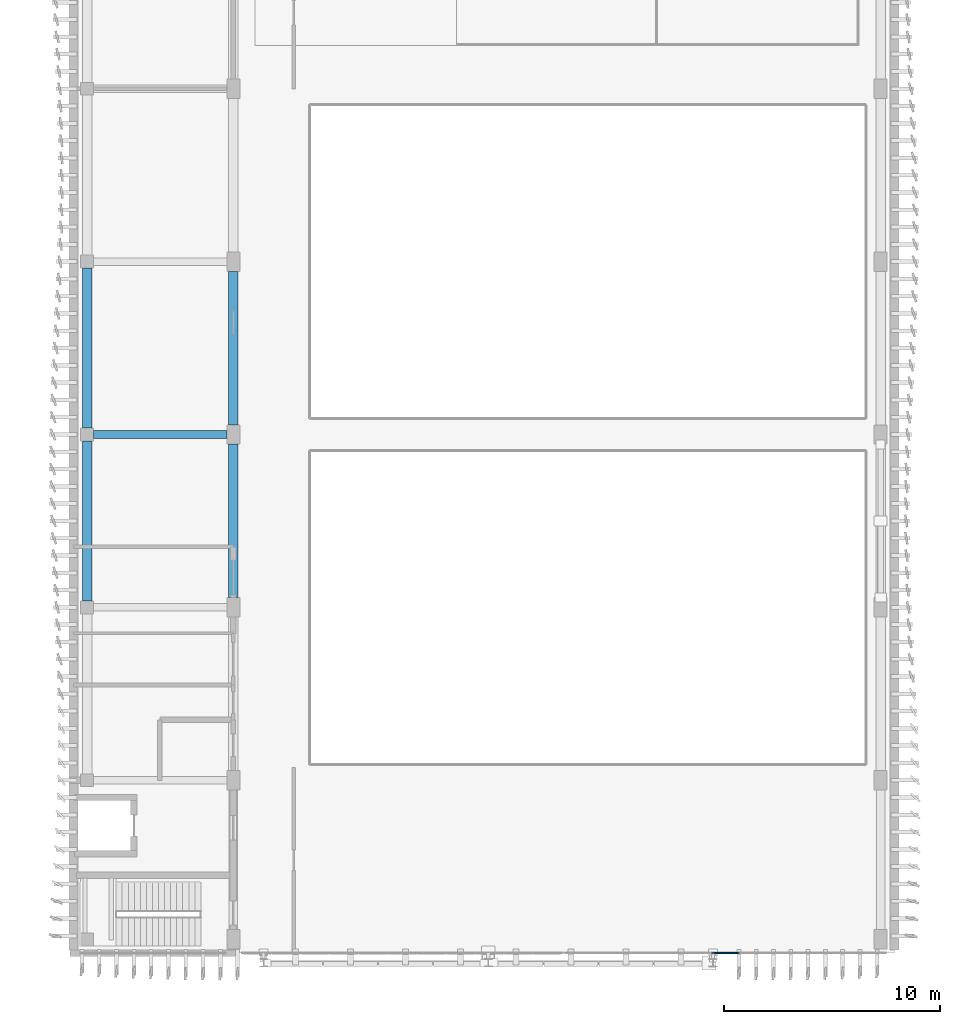
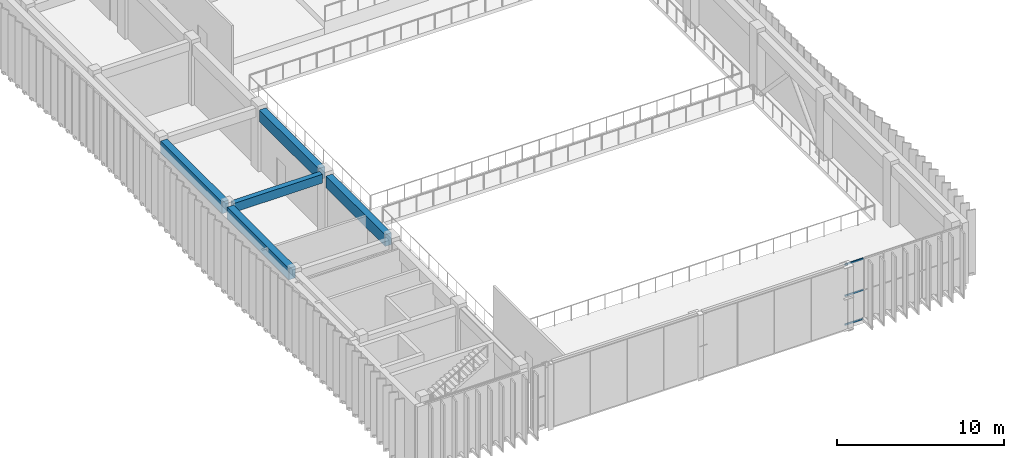
# One storey, part 6 of 64: 5 beams, 3 members, 1 element without a shape of its own.
"""IFC4 building model written with IfcOpenShell, lengths in metres."""

from ifc_helpers import new_model, si_unit, direction, frame, origin, origin_2d, place, context, subcontext, project, spatial, rectangle, extrude, material, layer, layer_set, material_profile, profile_set, type_object, element, aggregate, save


model = new_model("IFC4")

# Units and contexts
model_context = context("Model", 3, precision=1e-05, world=origin(), true_north=direction((0.0, 1.0)))
body_context = subcontext(model_context, "Body", "Model", "MODEL_VIEW")
ifc_project = project(units=[si_unit("LENGTHUNIT", "METRE"), si_unit("AREAUNIT", "SQUARE_METRE"), si_unit("VOLUMEUNIT", "CUBIC_METRE"), si_unit("PLANEANGLEUNIT", "RADIAN"), si_unit("MASSUNIT", "GRAM", prefix="KILO")], contexts=[model_context])

# Site, building, storey
site_placement = place(None, origin())
site = spatial("IfcSite", under=ifc_project, at=site_placement, CompositionType="ELEMENT")
building_placement = place(site_placement, origin())
building = spatial("IfcBuilding", under=site, at=building_placement, Name="Cinchona Park Media Centre", CompositionType="ELEMENT")
storey_placement = place(building_placement, frame((0.0, 0.0, 5.39990234375)))
storey = spatial("IfcBuildingStorey", under=building, at=storey_placement, Name="L01", CompositionType="ELEMENT", Elevation=5.39990234375)

# Beams
ifc_material_1 = material(Name="Concrete C35/45", Category="concrete")
ifc_material_profile_1 = material_profile(ifc_material_1, rectangle(XDim=0.449951171875, YDim=0.85009765625, at=origin_2d()), Name="RB 450X850")
ifc_profile_set_1 = profile_set([ifc_material_profile_1], Name="Concrete C35/45")
beam_type_1 = type_object("IfcBeamType", Name="BEAM-B02-RB450X850", PredefinedType="BEAM", material=ifc_profile_set_1)
for number, where, z_axis, x_axis, name in (
    (1, (8.639892578125, 23.89990234375, 4.09521484375), (0.0, 1.0, 0.0), (-1.0, 0.0, 0.0), "Girder B02 L01"),
    (2, (8.639892578125, 31.89990234375, 4.09521484375), (0.0, 1.0, 0.0), (-1.0, 0.0, 0.0), "Girder B02 L01"),
):
    element("IfcBeam", number, at=place(storey_placement, frame(where, z_axis=z_axis, x_axis=x_axis)), inside=storey, type_object=beam_type_1, Name=name, PredefinedType="BEAM", context=body_context, shape_type="SweptSolid", body=[
        extrude(rectangle(XDim=0.449951171875, YDim=0.85009765625, at=origin_2d()), origin(), (0.0, 0.0, 1.0), 7.400146484375),
    ])
for number, where, z_axis, x_axis, name in (
    (3, (15.39990234375, 24.050048828125, 4.09521484375), (0.0, 1.0, 0.0), (-1.0, 0.0, 0.0), "Girder B02 L01"),
    (4, (15.39990234375, 32.050048828125, 4.09521484375), (0.0, 1.0, 0.0), (-1.0, 0.0, 0.0), "Girder B02 L01"),
):
    element("IfcBeam", number, at=place(storey_placement, frame(where, z_axis=z_axis, x_axis=x_axis)), inside=storey, type_object=beam_type_1, Name=name, PredefinedType="BEAM", context=body_context, shape_type="SweptSolid", body=[
        extrude(rectangle(XDim=0.449951171875, YDim=0.85009765625, at=origin_2d()), origin(), (0.0, 0.0, 1.0), 7.099853515625),
    ])
ifc_material_2 = material(Name="Concrete C35/45", Category="concrete")
ifc_material_profile_2 = material_profile(ifc_material_2, rectangle(XDim=0.35009765625, YDim=0.64990234375, at=origin_2d()), Name="RB 350X650")
ifc_profile_set_2 = profile_set([ifc_material_profile_2], Name="Concrete C35/45")
beam_type_2 = type_object("IfcBeamType", Name="BEAM-B04-RB350X650", PredefinedType="BEAM", material=ifc_profile_set_2)
beam_placement = place(storey_placement, frame((8.93994140625, 31.60009765625, 4.195068359375), z_axis=(1.0, 0.0, 0.0), x_axis=(0.0, 1.0, 0.0)))
element("IfcBeam", 5, at=beam_placement, inside=storey, type_object=beam_type_2, Name="Beam B04 L01", PredefinedType="BEAM", context=body_context, shape_type="SweptSolid", body=[
    extrude(rectangle(XDim=0.35009765625, YDim=0.64990234375, at=origin_2d()), origin(), (0.0, 0.0, 1.0), 6.16015625),
])

# Curtain wall, members
ifc_material_3 = material(Name="Aluminium Curtain Wall Framing", Category="aluminium")
ifc_layer = layer(ifc_material_3, 0.22509765625)
ifc_layer_set = layer_set([ifc_layer], Name="Aluminium Curtain Wall Framing")
curtain_wall_type = type_object("IfcCurtainWallType", Name="CW-CW04", PredefinedType="USERDEFINED", material=ifc_layer_set)
curtain_wall_placement = place(storey_placement, origin())
curtain_wall = element("IfcCurtainWall", 6, at=curtain_wall_placement, inside=storey, type_object=curtain_wall_type, Name="Curtain Wall CW04 L01", ObjectType="UNITISED CURTAIN WALL", PredefinedType="USERDEFINED")
ifc_material_4 = material(Name="Anodised Aluminium Alloy 6063-T6", Category="aluminium")
ifc_material_profile_3 = material_profile(ifc_material_4, rectangle(XDim=0.06494140625, YDim=0.1201171875, at=origin_2d()), Name="TRN-65X120")
ifc_profile_set_3 = profile_set([ifc_material_profile_3], Name="Anodised Aluminium Alloy 6063-T6")
member_type = type_object("IfcMemberType", Name="TRANSOM-TRN01", PredefinedType="USERDEFINED", material=ifc_profile_set_3)
member_1_placement = place(storey_placement, frame((38.8203125, 7.60009765625, 0.08251953125), z_axis=(-1.0, 0.0, 0.0), x_axis=(0.0, -1.0, 0.0)))
member_1 = element("IfcMember", 7, at=member_1_placement, type_object=member_type, Name="CW04 transom 6.1", ObjectType="TRANSOM", PredefinedType="USERDEFINED", context=body_context, shape_type="SweptSolid", body=[
    extrude(rectangle(XDim=0.06494140625, YDim=0.1201171875, at=origin_2d()), origin(), (0.0, 0.0, 1.0), 1.280517578125),
])
member_2_placement = place(storey_placement, frame((38.8203125, 7.60009765625, 2.196044921875), z_axis=(-1.0, 0.0, 0.0), x_axis=(0.0, -1.0, 0.0)))
member_2 = element("IfcMember", 8, at=member_2_placement, type_object=member_type, Name="CW04 transom 6.2", ObjectType="TRANSOM", PredefinedType="USERDEFINED", context=body_context, shape_type="SweptSolid", body=[
    extrude(rectangle(XDim=0.06494140625, YDim=0.1201171875, at=origin_2d()), origin(), (0.0, 0.0, 1.0), 1.280517578125),
])
member_3_placement = place(storey_placement, frame((38.8203125, 7.60009765625, 4.487548828125), z_axis=(-1.0, 0.0, 0.0), x_axis=(0.0, -1.0, 0.0)))
member_3 = element("IfcMember", 9, at=member_3_placement, type_object=member_type, Name="CW04 transom 6.3", ObjectType="TRANSOM", PredefinedType="USERDEFINED", context=body_context, shape_type="SweptSolid", body=[
    extrude(rectangle(XDim=0.06494140625, YDim=0.1201171875, at=origin_2d()), origin(), (0.0, 0.0, 1.0), 1.280517578125),
])
aggregate(curtain_wall, [member_1, member_2, member_3])

save(model, "model.ifc")
